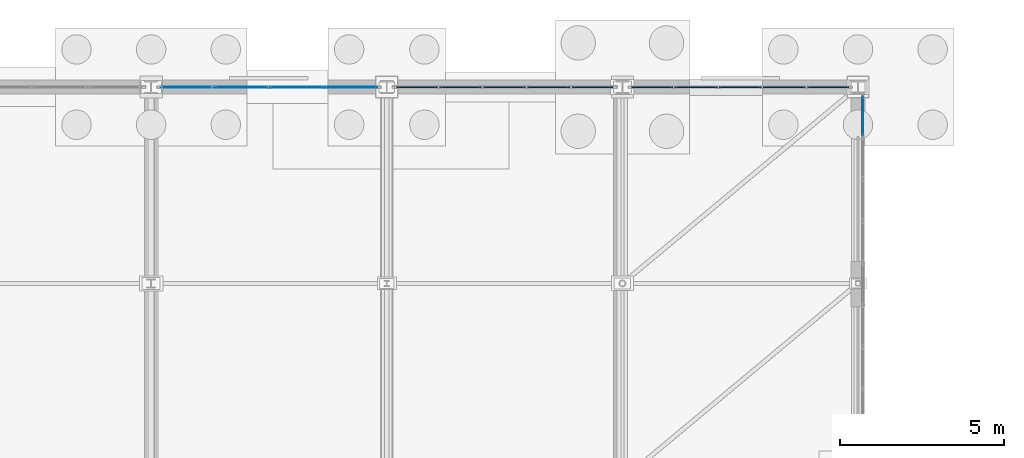
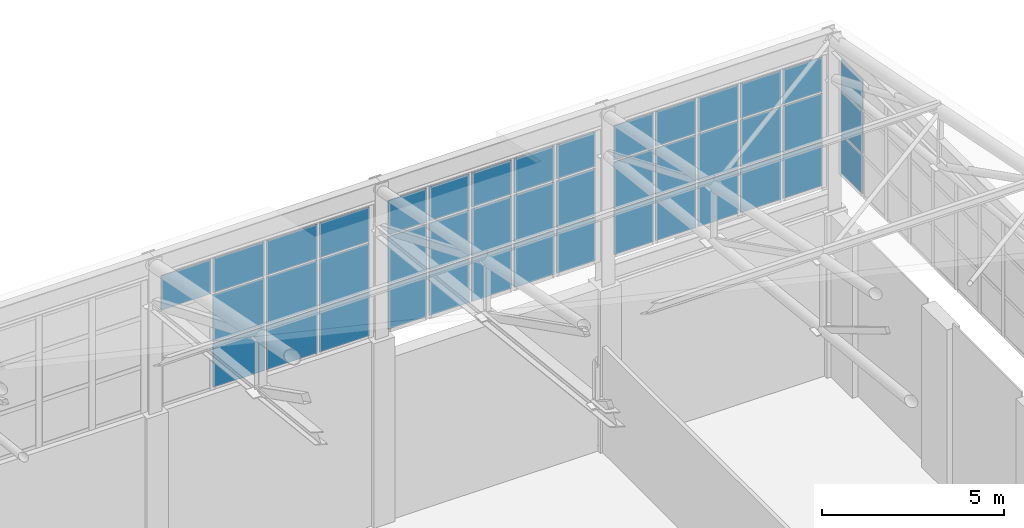
# One storey, part 254 of 293: 43 plates, 4 elements without a shape of their own.
"""IFC4 building model written with IfcOpenShell, lengths in metres."""

from ifc_helpers import new_model, si_unit, direction, frame, origin, origin_2d, place, context, subcontext, project, spatial, rectangle, extrude, material, layer, layer_set, type_object, element, aggregate, save


model = new_model("IFC4")

# Units and contexts
model_context = context("Model", 3, precision=1e-05, world=origin(), true_north=direction((0.0, 1.0)))
body_context = subcontext(model_context, "Body", "Model", "MODEL_VIEW")
ifc_project = project(units=[si_unit("LENGTHUNIT", "METRE"), si_unit("AREAUNIT", "SQUARE_METRE"), si_unit("VOLUMEUNIT", "CUBIC_METRE"), si_unit("PLANEANGLEUNIT", "RADIAN"), si_unit("MASSUNIT", "GRAM", prefix="KILO")], contexts=[model_context])

# Site, building, storey
site_placement = place(None, origin())
site = spatial("IfcSite", under=ifc_project, at=site_placement, CompositionType="ELEMENT")
building_placement = place(site_placement, origin())
building = spatial("IfcBuilding", under=site, at=building_placement, Name="Kemerveld Promenade Tramway Depot", CompositionType="ELEMENT")
storey_placement = place(building_placement, origin())
storey = spatial("IfcBuildingStorey", under=building, at=storey_placement, Name="L00", CompositionType="ELEMENT", Elevation=0.0)

# Curtain wall, plates
ifc_material_1 = material(Name="Bronze anodised aluminium and solar glass", Category="aluminium")
ifc_layer_1 = layer(ifc_material_1, 0.159912109375)
ifc_layer_set_1 = layer_set([ifc_layer_1], Name="CW-SYS-05")
curtain_wall_type_1 = type_object("IfcCurtainWallType", Name="CW-SYS-05", PredefinedType="USERDEFINED", material=ifc_layer_set_1)
curtain_wall_1_placement = place(storey_placement, origin())
curtain_wall_1 = element("IfcCurtainWall", 1, at=curtain_wall_1_placement, inside=storey, type_object=curtain_wall_type_1, Name="CW-V1-N-19", ObjectType="GLAZED_CURTAIN_WALL", PredefinedType="USERDEFINED")
ifc_material_2 = material(Name="Solar-control laminated double glazing", Category="glass")
ifc_layer_2 = layer(ifc_material_2, 0.028076171875)
ifc_layer_set_2 = layer_set([ifc_layer_2], Name="CW-PNL-03")
plate_type_1 = type_object("IfcPlateType", Name="CW-PNL-03", PredefinedType="CURTAIN_PANEL", material=ifc_layer_set_2)
plate_1_placement = place(storey_placement, frame((166.68359375, 144.0, 9.43408203125), z_axis=(0.0, 0.0, 1.0), x_axis=(1.0, 0.0, 0.0)))
plate_1 = element("IfcPlate", 2, at=plate_1_placement, type_object=plate_type_1, Name="CW05 panel 1.3", PredefinedType="CURTAIN_PANEL", context=body_context, shape_type="SweptSolid", body=[
    extrude(rectangle(XDim=1.5908203125, YDim=0.028076171875, at=origin_2d()), origin(), (0.0, 0.0, 1.0), 1.156005859375),
])
plate_2_placement = place(storey_placement, frame((168.355712890625, 144.0, 6.259765625), z_axis=(0.0, 0.0, 1.0), x_axis=(1.0, 0.0, 0.0)))
plate_2 = element("IfcPlate", 3, at=plate_2_placement, type_object=plate_type_1, Name="CW05 panel 2.1", PredefinedType="CURTAIN_PANEL", context=body_context, shape_type="SweptSolid", body=[
    extrude(rectangle(XDim=1.623291015625, YDim=0.028076171875, at=origin_2d()), origin(), (0.0, 0.0, 1.0), 1.468017578125),
])
plate_3_placement = place(storey_placement, frame((168.355712890625, 144.0, 7.7880859375), z_axis=(0.0, 0.0, 1.0), x_axis=(1.0, 0.0, 0.0)))
plate_3 = element("IfcPlate", 4, at=plate_3_placement, type_object=plate_type_1, Name="CW05 panel 2.2", PredefinedType="CURTAIN_PANEL", context=body_context, shape_type="SweptSolid", body=[
    extrude(rectangle(XDim=1.623291015625, YDim=0.028076171875, at=origin_2d()), origin(), (0.0, 0.0, 1.0), 1.5859375),
])
plate_4_placement = place(storey_placement, frame((168.355712890625, 144.0, 9.43408203125), z_axis=(0.0, 0.0, 1.0), x_axis=(1.0, 0.0, 0.0)))
plate_4 = element("IfcPlate", 5, at=plate_4_placement, type_object=plate_type_1, Name="CW05 panel 2.3", PredefinedType="CURTAIN_PANEL", context=body_context, shape_type="SweptSolid", body=[
    extrude(rectangle(XDim=1.623291015625, YDim=0.028076171875, at=origin_2d()), origin(), (0.0, 0.0, 1.0), 1.156005859375),
])
plate_5_placement = place(storey_placement, frame((170.044189453125, 144.0, 6.259765625), z_axis=(0.0, 0.0, 1.0), x_axis=(1.0, 0.0, 0.0)))
plate_5 = element("IfcPlate", 6, at=plate_5_placement, type_object=plate_type_1, Name="CW05 panel 3.1", PredefinedType="CURTAIN_PANEL", context=body_context, shape_type="SweptSolid", body=[
    extrude(rectangle(XDim=1.623291015625, YDim=0.028076171875, at=origin_2d()), origin(), (0.0, 0.0, 1.0), 1.468017578125),
])
plate_6_placement = place(storey_placement, frame((170.044189453125, 144.0, 7.7880859375), z_axis=(0.0, 0.0, 1.0), x_axis=(1.0, 0.0, 0.0)))
plate_6 = element("IfcPlate", 7, at=plate_6_placement, type_object=plate_type_1, Name="CW05 panel 3.2", PredefinedType="CURTAIN_PANEL", context=body_context, shape_type="SweptSolid", body=[
    extrude(rectangle(XDim=1.623291015625, YDim=0.028076171875, at=origin_2d()), origin(), (0.0, 0.0, 1.0), 1.5859375),
])
plate_7_placement = place(storey_placement, frame((170.044189453125, 144.0, 9.43408203125), z_axis=(0.0, 0.0, 1.0), x_axis=(1.0, 0.0, 0.0)))
plate_7 = element("IfcPlate", 8, at=plate_7_placement, type_object=plate_type_1, Name="CW05 panel 3.3", PredefinedType="CURTAIN_PANEL", context=body_context, shape_type="SweptSolid", body=[
    extrude(rectangle(XDim=1.623291015625, YDim=0.028076171875, at=origin_2d()), origin(), (0.0, 0.0, 1.0), 1.156005859375),
])
plate_8_placement = place(storey_placement, frame((171.71630859375, 144.0, 6.259765625), z_axis=(0.0, 0.0, 1.0), x_axis=(1.0, 0.0, 0.0)))
plate_8 = element("IfcPlate", 9, at=plate_8_placement, type_object=plate_type_1, Name="CW05 panel 4.1", PredefinedType="CURTAIN_PANEL", context=body_context, shape_type="SweptSolid", body=[
    extrude(rectangle(XDim=1.5908203125, YDim=0.028076171875, at=origin_2d()), origin(), (0.0, 0.0, 1.0), 1.468017578125),
])
plate_9_placement = place(storey_placement, frame((171.71630859375, 144.0, 7.7880859375), z_axis=(0.0, 0.0, 1.0), x_axis=(1.0, 0.0, 0.0)))
plate_9 = element("IfcPlate", 10, at=plate_9_placement, type_object=plate_type_1, Name="CW05 panel 4.2", PredefinedType="CURTAIN_PANEL", context=body_context, shape_type="SweptSolid", body=[
    extrude(rectangle(XDim=1.5908203125, YDim=0.028076171875, at=origin_2d()), origin(), (0.0, 0.0, 1.0), 1.5859375),
])
plate_10_placement = place(storey_placement, frame((171.71630859375, 144.0, 9.43408203125), z_axis=(0.0, 0.0, 1.0), x_axis=(1.0, 0.0, 0.0)))
plate_10 = element("IfcPlate", 11, at=plate_10_placement, type_object=plate_type_1, Name="CW05 panel 4.3", PredefinedType="CURTAIN_PANEL", context=body_context, shape_type="SweptSolid", body=[
    extrude(rectangle(XDim=1.5908203125, YDim=0.028076171875, at=origin_2d()), origin(), (0.0, 0.0, 1.0), 1.156005859375),
])
aggregate(curtain_wall_1, [plate_1, plate_2, plate_3, plate_4, plate_5, plate_6, plate_7, plate_8, plate_9, plate_10])

ifc_layer_3 = layer(ifc_material_1, 0.199951171875)
ifc_layer_set_3 = layer_set([ifc_layer_3], Name="CW-SYS-06")
curtain_wall_type_2 = type_object("IfcCurtainWallType", Name="CW-SYS-06", PredefinedType="USERDEFINED", material=ifc_layer_set_3)
curtain_wall_2_placement = place(storey_placement, origin())
curtain_wall_2 = element("IfcCurtainWall", 12, at=curtain_wall_2_placement, inside=storey, type_object=curtain_wall_type_2, Name="CW-V1-N-20", ObjectType="GLAZED_CURTAIN_WALL", PredefinedType="USERDEFINED")
ifc_layer_4 = layer(ifc_material_2, 0.031982421875)
ifc_layer_set_4 = layer_set([ifc_layer_4], Name="CW-PNL-04")
plate_type_2 = type_object("IfcPlateType", Name="CW-PNL-04", PredefinedType="CURTAIN_PANEL", material=ifc_layer_set_4)
plate_11_placement = place(storey_placement, frame((173.71728515625, 144.0, 6.26513671875), z_axis=(0.0, 0.0, 1.0), x_axis=(1.0, 0.0, 0.0)))
plate_11 = element("IfcPlate", 13, at=plate_11_placement, type_object=plate_type_2, Name="CW06 panel 1.1", PredefinedType="CURTAIN_PANEL", context=body_context, shape_type="SweptSolid", body=[
    extrude(rectangle(XDim=1.23828125, YDim=0.031982421875, at=origin_2d()), origin(), (0.0, 0.0, 1.0), 1.46044921875),
])
plate_12_placement = place(storey_placement, frame((173.71728515625, 144.0, 7.79052734375), z_axis=(0.0, 0.0, 1.0), x_axis=(1.0, 0.0, 0.0)))
plate_12 = element("IfcPlate", 14, at=plate_12_placement, type_object=plate_type_2, Name="CW06 panel 1.2", PredefinedType="CURTAIN_PANEL", context=body_context, shape_type="SweptSolid", body=[
    extrude(rectangle(XDim=1.23828125, YDim=0.031982421875, at=origin_2d()), origin(), (0.0, 0.0, 1.0), 1.5810546875),
])
plate_13_placement = place(storey_placement, frame((173.71728515625, 144.0, 9.4365234375), z_axis=(0.0, 0.0, 1.0), x_axis=(1.0, 0.0, 0.0)))
plate_13 = element("IfcPlate", 15, at=plate_13_placement, type_object=plate_type_2, Name="CW06 panel 1.3", PredefinedType="CURTAIN_PANEL", context=body_context, shape_type="SweptSolid", body=[
    extrude(rectangle(XDim=1.23828125, YDim=0.031982421875, at=origin_2d()), origin(), (0.0, 0.0, 1.0), 1.1484375),
])
plate_14_placement = place(storey_placement, frame((175.04931640625, 144.0, 6.26513671875), z_axis=(0.0, 0.0, 1.0), x_axis=(1.0, 0.0, 0.0)))
plate_14 = element("IfcPlate", 16, at=plate_14_placement, type_object=plate_type_2, Name="CW06 panel 2.1", PredefinedType="CURTAIN_PANEL", context=body_context, shape_type="SweptSolid", body=[
    extrude(rectangle(XDim=1.275634765625, YDim=0.031982421875, at=origin_2d()), origin(), (0.0, 0.0, 1.0), 1.46044921875),
])
plate_15_placement = place(storey_placement, frame((175.04931640625, 144.0, 7.79052734375), z_axis=(0.0, 0.0, 1.0), x_axis=(1.0, 0.0, 0.0)))
plate_15 = element("IfcPlate", 17, at=plate_15_placement, type_object=plate_type_2, Name="CW06 panel 2.2", PredefinedType="CURTAIN_PANEL", context=body_context, shape_type="SweptSolid", body=[
    extrude(rectangle(XDim=1.275634765625, YDim=0.031982421875, at=origin_2d()), origin(), (0.0, 0.0, 1.0), 1.5810546875),
])
plate_16_placement = place(storey_placement, frame((175.04931640625, 144.0, 9.4365234375), z_axis=(0.0, 0.0, 1.0), x_axis=(1.0, 0.0, 0.0)))
plate_16 = element("IfcPlate", 18, at=plate_16_placement, type_object=plate_type_2, Name="CW06 panel 2.3", PredefinedType="CURTAIN_PANEL", context=body_context, shape_type="SweptSolid", body=[
    extrude(rectangle(XDim=1.275634765625, YDim=0.031982421875, at=origin_2d()), origin(), (0.0, 0.0, 1.0), 1.1484375),
])
plate_17_placement = place(storey_placement, frame((176.39990234375, 144.0, 6.26513671875), z_axis=(0.0, 0.0, 1.0), x_axis=(1.0, 0.0, 0.0)))
plate_17 = element("IfcPlate", 19, at=plate_17_placement, type_object=plate_type_2, Name="CW06 panel 3.1", PredefinedType="CURTAIN_PANEL", context=body_context, shape_type="SweptSolid", body=[
    extrude(rectangle(XDim=1.275634765625, YDim=0.031982421875, at=origin_2d()), origin(), (0.0, 0.0, 1.0), 1.46044921875),
])
plate_18_placement = place(storey_placement, frame((176.39990234375, 144.0, 7.79052734375), z_axis=(0.0, 0.0, 1.0), x_axis=(1.0, 0.0, 0.0)))
plate_18 = element("IfcPlate", 20, at=plate_18_placement, type_object=plate_type_2, Name="CW06 panel 3.2", PredefinedType="CURTAIN_PANEL", context=body_context, shape_type="SweptSolid", body=[
    extrude(rectangle(XDim=1.275634765625, YDim=0.031982421875, at=origin_2d()), origin(), (0.0, 0.0, 1.0), 1.5810546875),
])
plate_19_placement = place(storey_placement, frame((176.39990234375, 144.0, 9.4365234375), z_axis=(0.0, 0.0, 1.0), x_axis=(1.0, 0.0, 0.0)))
plate_19 = element("IfcPlate", 21, at=plate_19_placement, type_object=plate_type_2, Name="CW06 panel 3.3", PredefinedType="CURTAIN_PANEL", context=body_context, shape_type="SweptSolid", body=[
    extrude(rectangle(XDim=1.275634765625, YDim=0.031982421875, at=origin_2d()), origin(), (0.0, 0.0, 1.0), 1.1484375),
])
plate_20_placement = place(storey_placement, frame((177.750732421875, 144.0, 6.26513671875), z_axis=(0.0, 0.0, 1.0), x_axis=(1.0, 0.0, 0.0)))
plate_20 = element("IfcPlate", 22, at=plate_20_placement, type_object=plate_type_2, Name="CW06 panel 4.1", PredefinedType="CURTAIN_PANEL", context=body_context, shape_type="SweptSolid", body=[
    extrude(rectangle(XDim=1.275634765625, YDim=0.031982421875, at=origin_2d()), origin(), (0.0, 0.0, 1.0), 1.46044921875),
])
plate_21_placement = place(storey_placement, frame((177.750732421875, 144.0, 7.79052734375), z_axis=(0.0, 0.0, 1.0), x_axis=(1.0, 0.0, 0.0)))
plate_21 = element("IfcPlate", 23, at=plate_21_placement, type_object=plate_type_2, Name="CW06 panel 4.2", PredefinedType="CURTAIN_PANEL", context=body_context, shape_type="SweptSolid", body=[
    extrude(rectangle(XDim=1.275634765625, YDim=0.031982421875, at=origin_2d()), origin(), (0.0, 0.0, 1.0), 1.5810546875),
])
plate_22_placement = place(storey_placement, frame((177.750732421875, 144.0, 9.4365234375), z_axis=(0.0, 0.0, 1.0), x_axis=(1.0, 0.0, 0.0)))
plate_22 = element("IfcPlate", 24, at=plate_22_placement, type_object=plate_type_2, Name="CW06 panel 4.3", PredefinedType="CURTAIN_PANEL", context=body_context, shape_type="SweptSolid", body=[
    extrude(rectangle(XDim=1.275634765625, YDim=0.031982421875, at=origin_2d()), origin(), (0.0, 0.0, 1.0), 1.1484375),
])
plate_23_placement = place(storey_placement, frame((179.082763671875, 144.0, 6.26513671875), z_axis=(0.0, 0.0, 1.0), x_axis=(1.0, 0.0, 0.0)))
plate_23 = element("IfcPlate", 25, at=plate_23_placement, type_object=plate_type_2, Name="CW06 panel 5.1", PredefinedType="CURTAIN_PANEL", context=body_context, shape_type="SweptSolid", body=[
    extrude(rectangle(XDim=1.23828125, YDim=0.031982421875, at=origin_2d()), origin(), (0.0, 0.0, 1.0), 1.46044921875),
])
plate_24_placement = place(storey_placement, frame((179.082763671875, 144.0, 7.79052734375), z_axis=(0.0, 0.0, 1.0), x_axis=(1.0, 0.0, 0.0)))
plate_24 = element("IfcPlate", 26, at=plate_24_placement, type_object=plate_type_2, Name="CW06 panel 5.2", PredefinedType="CURTAIN_PANEL", context=body_context, shape_type="SweptSolid", body=[
    extrude(rectangle(XDim=1.23828125, YDim=0.031982421875, at=origin_2d()), origin(), (0.0, 0.0, 1.0), 1.5810546875),
])
plate_25_placement = place(storey_placement, frame((179.082763671875, 144.0, 9.4365234375), z_axis=(0.0, 0.0, 1.0), x_axis=(1.0, 0.0, 0.0)))
plate_25 = element("IfcPlate", 27, at=plate_25_placement, type_object=plate_type_2, Name="CW06 panel 5.3", PredefinedType="CURTAIN_PANEL", context=body_context, shape_type="SweptSolid", body=[
    extrude(rectangle(XDim=1.23828125, YDim=0.031982421875, at=origin_2d()), origin(), (0.0, 0.0, 1.0), 1.1484375),
])
aggregate(curtain_wall_2, [plate_11, plate_12, plate_13, plate_14, plate_15, plate_16, plate_17, plate_18, plate_19, plate_20, plate_21, plate_22, plate_23, plate_24, plate_25])

ifc_layer_5 = layer(ifc_material_1, 0.159912109375)
ifc_layer_set_5 = layer_set([ifc_layer_5], Name="CW-SYS-07")
curtain_wall_type_3 = type_object("IfcCurtainWallType", Name="CW-SYS-07", PredefinedType="USERDEFINED", material=ifc_layer_set_5)
curtain_wall_3_placement = place(storey_placement, origin())
curtain_wall_3 = element("IfcCurtainWall", 28, at=curtain_wall_3_placement, inside=storey, type_object=curtain_wall_type_3, Name="CW-V1-N-21", ObjectType="GLAZED_CURTAIN_WALL", PredefinedType="USERDEFINED")
ifc_layer_6 = layer(ifc_material_2, 0.031982421875)
ifc_layer_set_6 = layer_set([ifc_layer_6], Name="CW-PNL-05")
plate_type_3 = type_object("IfcPlateType", Name="CW-PNL-05", PredefinedType="CURTAIN_PANEL", material=ifc_layer_set_6)
plate_26_placement = place(storey_placement, frame((180.914794921875, 144.0, 6.259765625), z_axis=(0.0, 0.0, 1.0), x_axis=(1.0, 0.0, 0.0)))
plate_26 = element("IfcPlate", 29, at=plate_26_placement, type_object=plate_type_3, Name="CW07 panel 1.1", PredefinedType="CURTAIN_PANEL", context=body_context, shape_type="SweptSolid", body=[
    extrude(rectangle(XDim=1.253173828125, YDim=0.031982421875, at=origin_2d()), origin(), (0.0, 0.0, 1.0), 1.468017578125),
])
plate_27_placement = place(storey_placement, frame((180.914794921875, 144.0, 7.7880859375), z_axis=(0.0, 0.0, 1.0), x_axis=(1.0, 0.0, 0.0)))
plate_27 = element("IfcPlate", 30, at=plate_27_placement, type_object=plate_type_3, Name="CW07 panel 1.2", PredefinedType="CURTAIN_PANEL", context=body_context, shape_type="SweptSolid", body=[
    extrude(rectangle(XDim=1.253173828125, YDim=0.031982421875, at=origin_2d()), origin(), (0.0, 0.0, 1.0), 1.5859375),
])
plate_28_placement = place(storey_placement, frame((180.914794921875, 144.0, 9.43408203125), z_axis=(0.0, 0.0, 1.0), x_axis=(1.0, 0.0, 0.0)))
plate_28 = element("IfcPlate", 31, at=plate_28_placement, type_object=plate_type_3, Name="CW07 panel 1.3", PredefinedType="CURTAIN_PANEL", context=body_context, shape_type="SweptSolid", body=[
    extrude(rectangle(XDim=1.253173828125, YDim=0.031982421875, at=origin_2d()), origin(), (0.0, 0.0, 1.0), 1.156005859375),
])
plate_29_placement = place(storey_placement, frame((182.249267578125, 144.0, 6.259765625), z_axis=(0.0, 0.0, 1.0), x_axis=(1.0, 0.0, 0.0)))
plate_29 = element("IfcPlate", 32, at=plate_29_placement, type_object=plate_type_3, Name="CW07 panel 2.1", PredefinedType="CURTAIN_PANEL", context=body_context, shape_type="SweptSolid", body=[
    extrude(rectangle(XDim=1.28564453125, YDim=0.031982421875, at=origin_2d()), origin(), (0.0, 0.0, 1.0), 1.468017578125),
])
plate_30_placement = place(storey_placement, frame((182.249267578125, 144.0, 7.7880859375), z_axis=(0.0, 0.0, 1.0), x_axis=(1.0, 0.0, 0.0)))
plate_30 = element("IfcPlate", 33, at=plate_30_placement, type_object=plate_type_3, Name="CW07 panel 2.2", PredefinedType="CURTAIN_PANEL", context=body_context, shape_type="SweptSolid", body=[
    extrude(rectangle(XDim=1.28564453125, YDim=0.031982421875, at=origin_2d()), origin(), (0.0, 0.0, 1.0), 1.5859375),
])
plate_31_placement = place(storey_placement, frame((182.249267578125, 144.0, 9.43408203125), z_axis=(0.0, 0.0, 1.0), x_axis=(1.0, 0.0, 0.0)))
plate_31 = element("IfcPlate", 34, at=plate_31_placement, type_object=plate_type_3, Name="CW07 panel 2.3", PredefinedType="CURTAIN_PANEL", context=body_context, shape_type="SweptSolid", body=[
    extrude(rectangle(XDim=1.28564453125, YDim=0.031982421875, at=origin_2d()), origin(), (0.0, 0.0, 1.0), 1.156005859375),
])
plate_32_placement = place(storey_placement, frame((183.60009765625, 144.0, 6.259765625), z_axis=(0.0, 0.0, 1.0), x_axis=(1.0, 0.0, 0.0)))
plate_32 = element("IfcPlate", 35, at=plate_32_placement, type_object=plate_type_3, Name="CW07 panel 3.1", PredefinedType="CURTAIN_PANEL", context=body_context, shape_type="SweptSolid", body=[
    extrude(rectangle(XDim=1.28564453125, YDim=0.031982421875, at=origin_2d()), origin(), (0.0, 0.0, 1.0), 1.468017578125),
])
plate_33_placement = place(storey_placement, frame((183.60009765625, 144.0, 7.7880859375), z_axis=(0.0, 0.0, 1.0), x_axis=(1.0, 0.0, 0.0)))
plate_33 = element("IfcPlate", 36, at=plate_33_placement, type_object=plate_type_3, Name="CW07 panel 3.2", PredefinedType="CURTAIN_PANEL", context=body_context, shape_type="SweptSolid", body=[
    extrude(rectangle(XDim=1.28564453125, YDim=0.031982421875, at=origin_2d()), origin(), (0.0, 0.0, 1.0), 1.5859375),
])
plate_34_placement = place(storey_placement, frame((183.60009765625, 144.0, 9.43408203125), z_axis=(0.0, 0.0, 1.0), x_axis=(1.0, 0.0, 0.0)))
plate_34 = element("IfcPlate", 37, at=plate_34_placement, type_object=plate_type_3, Name="CW07 panel 3.3", PredefinedType="CURTAIN_PANEL", context=body_context, shape_type="SweptSolid", body=[
    extrude(rectangle(XDim=1.28564453125, YDim=0.031982421875, at=origin_2d()), origin(), (0.0, 0.0, 1.0), 1.156005859375),
])
plate_35_placement = place(storey_placement, frame((184.95068359375, 144.0, 6.259765625), z_axis=(0.0, 0.0, 1.0), x_axis=(1.0, 0.0, 0.0)))
plate_35 = element("IfcPlate", 38, at=plate_35_placement, type_object=plate_type_3, Name="CW07 panel 4.1", PredefinedType="CURTAIN_PANEL", context=body_context, shape_type="SweptSolid", body=[
    extrude(rectangle(XDim=1.28564453125, YDim=0.031982421875, at=origin_2d()), origin(), (0.0, 0.0, 1.0), 1.468017578125),
])
plate_36_placement = place(storey_placement, frame((184.95068359375, 144.0, 7.7880859375), z_axis=(0.0, 0.0, 1.0), x_axis=(1.0, 0.0, 0.0)))
plate_36 = element("IfcPlate", 39, at=plate_36_placement, type_object=plate_type_3, Name="CW07 panel 4.2", PredefinedType="CURTAIN_PANEL", context=body_context, shape_type="SweptSolid", body=[
    extrude(rectangle(XDim=1.28564453125, YDim=0.031982421875, at=origin_2d()), origin(), (0.0, 0.0, 1.0), 1.5859375),
])
plate_37_placement = place(storey_placement, frame((184.95068359375, 144.0, 9.43408203125), z_axis=(0.0, 0.0, 1.0), x_axis=(1.0, 0.0, 0.0)))
plate_37 = element("IfcPlate", 40, at=plate_37_placement, type_object=plate_type_3, Name="CW07 panel 4.3", PredefinedType="CURTAIN_PANEL", context=body_context, shape_type="SweptSolid", body=[
    extrude(rectangle(XDim=1.28564453125, YDim=0.031982421875, at=origin_2d()), origin(), (0.0, 0.0, 1.0), 1.156005859375),
])
plate_38_placement = place(storey_placement, frame((186.28515625, 144.0, 6.259765625), z_axis=(0.0, 0.0, 1.0), x_axis=(1.0, 0.0, 0.0)))
plate_38 = element("IfcPlate", 41, at=plate_38_placement, type_object=plate_type_3, Name="CW07 panel 5.1", PredefinedType="CURTAIN_PANEL", context=body_context, shape_type="SweptSolid", body=[
    extrude(rectangle(XDim=1.253173828125, YDim=0.031982421875, at=origin_2d()), origin(), (0.0, 0.0, 1.0), 1.468017578125),
])
plate_39_placement = place(storey_placement, frame((186.28515625, 144.0, 7.7880859375), z_axis=(0.0, 0.0, 1.0), x_axis=(1.0, 0.0, 0.0)))
plate_39 = element("IfcPlate", 42, at=plate_39_placement, type_object=plate_type_3, Name="CW07 panel 5.2", PredefinedType="CURTAIN_PANEL", context=body_context, shape_type="SweptSolid", body=[
    extrude(rectangle(XDim=1.253173828125, YDim=0.031982421875, at=origin_2d()), origin(), (0.0, 0.0, 1.0), 1.5859375),
])
plate_40_placement = place(storey_placement, frame((186.28515625, 144.0, 9.43408203125), z_axis=(0.0, 0.0, 1.0), x_axis=(1.0, 0.0, 0.0)))
plate_40 = element("IfcPlate", 43, at=plate_40_placement, type_object=plate_type_3, Name="CW07 panel 5.3", PredefinedType="CURTAIN_PANEL", context=body_context, shape_type="SweptSolid", body=[
    extrude(rectangle(XDim=1.253173828125, YDim=0.031982421875, at=origin_2d()), origin(), (0.0, 0.0, 1.0), 1.156005859375),
])
aggregate(curtain_wall_3, [plate_26, plate_27, plate_28, plate_29, plate_30, plate_31, plate_32, plate_33, plate_34, plate_35, plate_36, plate_37, plate_38, plate_39, plate_40])

ifc_layer_7 = layer(ifc_material_1, 0.159912109375)
ifc_layer_set_7 = layer_set([ifc_layer_7], Name="CW-SYS-01")
curtain_wall_type_4 = type_object("IfcCurtainWallType", Name="CW-SYS-01", PredefinedType="USERDEFINED", material=ifc_layer_set_7)
curtain_wall_4_placement = place(storey_placement, origin())
curtain_wall_4 = element("IfcCurtainWall", 44, at=curtain_wall_4_placement, inside=storey, type_object=curtain_wall_type_4, Name="CW-V1-E-05", ObjectType="GLAZED_CURTAIN_WALL", PredefinedType="USERDEFINED")
ifc_layer_8 = layer(ifc_material_2, 0.030029296875)
ifc_layer_set_8 = layer_set([ifc_layer_8], Name="CW-PNL-07")
plate_type_4 = type_object("IfcPlateType", Name="CW-PNL-07", PredefinedType="CURTAIN_PANEL", material=ifc_layer_set_8)
plate_41_placement = place(storey_placement, frame((187.35009765625, 143.116455078125, 6.7099609375), z_axis=(0.0, 0.0, 1.0), x_axis=(0.0, -1.0, 0.0)))
plate_41 = element("IfcPlate", 45, at=plate_41_placement, type_object=plate_type_4, Name="CW01 panel 1.1", PredefinedType="CURTAIN_PANEL", context=body_context, shape_type="SweptSolid", body=[
    extrude(rectangle(XDim=1.190673828125, YDim=0.030029296875, at=origin_2d()), origin(), (0.0, 0.0, 1.0), 1.29296875),
])
plate_42_placement = place(storey_placement, frame((187.35009765625, 143.116455078125, 8.06298828125), z_axis=(0.0, 0.0, 1.0), x_axis=(0.0, -1.0, 0.0)))
plate_42 = element("IfcPlate", 46, at=plate_42_placement, type_object=plate_type_4, Name="CW01 panel 1.2", PredefinedType="CURTAIN_PANEL", context=body_context, shape_type="SweptSolid", body=[
    extrude(rectangle(XDim=1.190673828125, YDim=0.030029296875, at=origin_2d()), origin(), (0.0, 0.0, 1.0), 1.40087890625),
])
plate_43_placement = place(storey_placement, frame((187.35009765625, 143.116455078125, 9.52392578125), z_axis=(0.0, 0.0, 1.0), x_axis=(0.0, -1.0, 0.0)))
plate_43 = element("IfcPlate", 47, at=plate_43_placement, type_object=plate_type_4, Name="CW01 panel 1.3", PredefinedType="CURTAIN_PANEL", context=body_context, shape_type="SweptSolid", body=[
    extrude(rectangle(XDim=1.190673828125, YDim=0.030029296875, at=origin_2d()), origin(), (0.0, 0.0, 1.0), 1.01611328125),
])
aggregate(curtain_wall_4, [plate_41, plate_42, plate_43])

save(model, "model.ifc")
